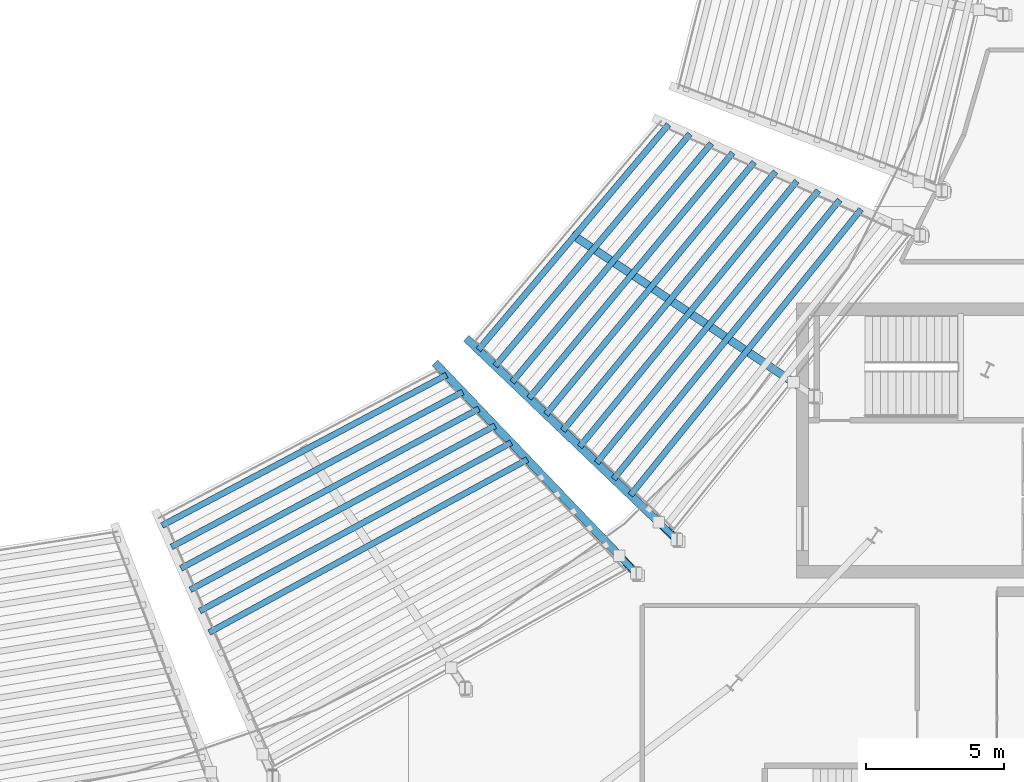
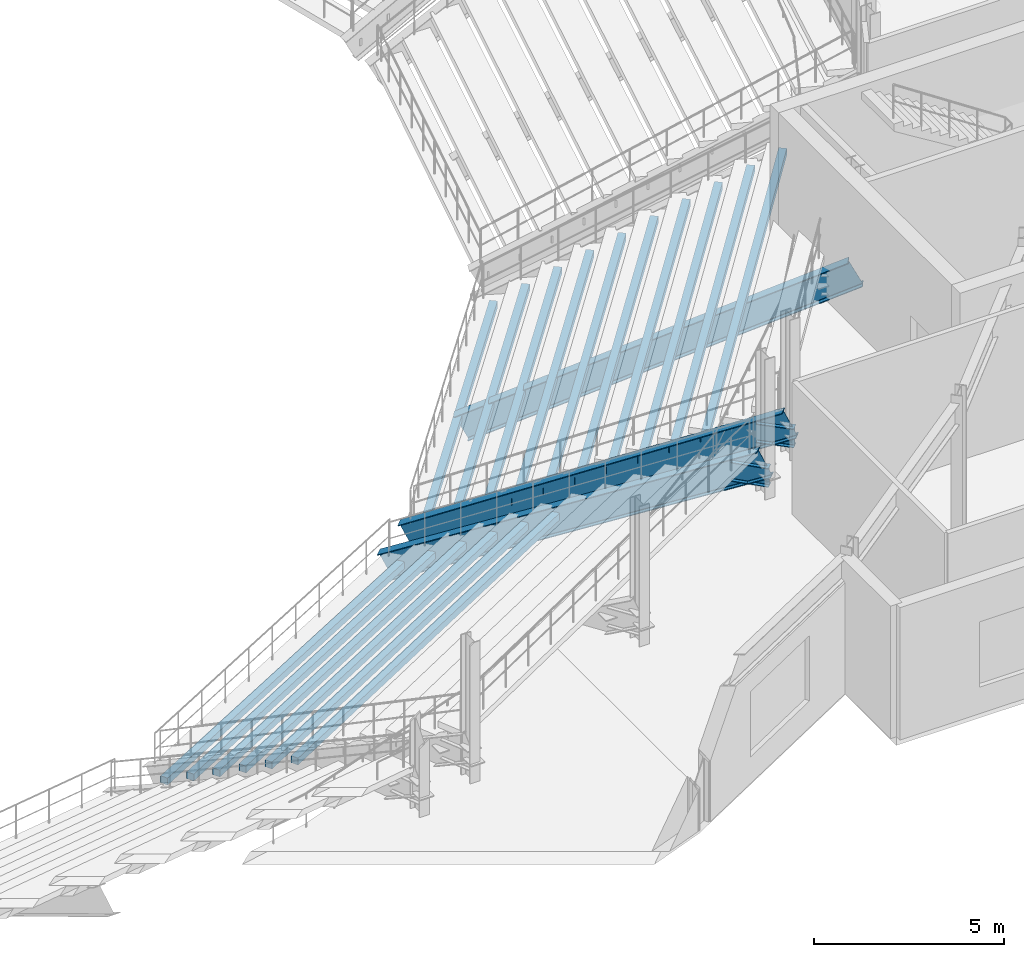
# One storey, part 26 of 81: 21 beams.
"""IFC4 building model written with IfcOpenShell, lengths in metres."""

from ifc_helpers import new_model, si_unit, direction, frame, origin, origin_2d, place, context, subcontext, project, spatial, rectangle, i_section, extrude, material, material_profile, profile_set, type_object, element, save


model = new_model("IFC4")

# Units and contexts
model_context = context("Model", 3, precision=1e-05, world=origin(), true_north=direction((0.0, 1.0)))
body_context = subcontext(model_context, "Body", "Model", "MODEL_VIEW")
ifc_project = project(units=[si_unit("LENGTHUNIT", "METRE"), si_unit("AREAUNIT", "SQUARE_METRE"), si_unit("VOLUMEUNIT", "CUBIC_METRE"), si_unit("PLANEANGLEUNIT", "RADIAN"), si_unit("MASSUNIT", "GRAM", prefix="KILO")], contexts=[model_context])

# Site, building, storey
site_placement = place(None, origin())
site = spatial("IfcSite", under=ifc_project, at=site_placement, CompositionType="ELEMENT")
building_placement = place(site_placement, origin())
building = spatial("IfcBuilding", under=site, at=building_placement, Name="Glasvene Arena", CompositionType="ELEMENT")
storey_placement = place(building_placement, frame((0.0, 0.0, 15.0)))
storey = spatial("IfcBuildingStorey", under=building, at=storey_placement, Name="L03", CompositionType="ELEMENT", Elevation=15.0)

# Beams
ifc_material_1 = material(Name="Steel S355J2", Category="steel")
ifc_material_profile_1 = material_profile(ifc_material_1, i_section(OverallWidth=0.228271484375, OverallDepth=0.607666015625, WebThickness=0.010986328125, FlangeThickness=0.017333984375, FilletRadius=0.0126953125, at=origin_2d()), Name="UKB 610x229x113")
ifc_profile_set_1 = profile_set([ifc_material_profile_1], Name="Steel S355J2")
beam_type_1 = type_object("IfcBeamType", Name="BM-GIRD-610", PredefinedType="BEAM", material=ifc_profile_set_1)
for number, where, z_axis, x_axis, name in (
    (1, (123.15869140625, 45.81640625, 0.60498046875), (0.691010672315, -0.722844555037, 0.0), (0.722844555037, 0.691010672315, 0.0), "Upper raker rear seat haunch girder RKS-14-3"),
    (2, (124.605712890625, 47.022705078125, 0.60498046875), (0.723078356625, -0.690766016955, 0.0), (0.690766016955, 0.723078356625, 0.0), "Upper raker rear seat haunch girder RKS-15-1"),
):
    element("IfcBeam", number, at=place(storey_placement, frame(where, z_axis=z_axis, x_axis=x_axis)), inside=storey, type_object=beam_type_1, Name=name, PredefinedType="BEAM", context=body_context, shape_type="SweptSolid", body=[
        extrude(i_section(OverallWidth=0.228271484375, OverallDepth=0.607666015625, WebThickness=0.010986328125, FlangeThickness=0.017333984375, FilletRadius=0.0126953125, at=origin_2d()), origin(), (0.0, 0.0, 1.0), 1.02001953125),
    ])
ifc_material_profile_2 = material_profile(ifc_material_1, i_section(OverallWidth=0.29248046875, OverallDepth=0.8408203125, WebThickness=0.0146484375, FlangeThickness=0.021728515625, FilletRadius=0.017822265625, at=origin_2d()), Name="UKB 838x292x194")
ifc_profile_set_2 = profile_set([ifc_material_profile_2], Name="Steel S355J2")
beam_type_2 = type_object("IfcBeamType", Name="Upper bowl raker", PredefinedType="USERDEFINED", material=ifc_profile_set_2)
beam_1_placement = place(storey_placement, frame((116.595458984375, 52.6845703125, -4.320068359375), z_axis=(0.614833062929, -0.643391567755, 0.456100422354), x_axis=(0.722970105975, 0.690879313532, 0.0)))
element("IfcBeam", 3, at=beam_1_placement, inside=storey, type_object=beam_type_2, Name="Upper bowl cantilevered raker beam RKU-14-3", ObjectType="RAKER BEAM", PredefinedType="USERDEFINED", context=body_context, shape_type="SweptSolid", body=[
    extrude(i_section(OverallWidth=0.29248046875, OverallDepth=0.8408203125, WebThickness=0.0146484375, FlangeThickness=0.021728515625, FilletRadius=0.017822265625, at=origin_2d()), origin(), (0.0, 0.0, 1.0), 11.686279296875),
])
beam_2_placement = place(storey_placement, frame((117.737548828125, 53.586181640625, -4.320068359375), z_axis=(0.643395546748, -0.614837792595, 0.456088433554), x_axis=(0.690879858158, 0.722969585523, 0.0)))
element("IfcBeam", 4, at=beam_2_placement, inside=storey, type_object=beam_type_2, Name="Upper bowl cantilevered raker beam RKU-15-1", ObjectType="RAKER BEAM", PredefinedType="USERDEFINED", context=body_context, shape_type="SweptSolid", body=[
    extrude(i_section(OverallWidth=0.29248046875, OverallDepth=0.8408203125, WebThickness=0.0146484375, FlangeThickness=0.021728515625, FilletRadius=0.017822265625, at=origin_2d()), origin(), (0.0, 0.0, 1.0), 11.6865234375),
])
beam_3_placement = place(storey_placement, frame((121.600341796875, 57.388427734375, -4.47998046875), z_axis=(0.737057012889, -0.492481189955, 0.462827437919), x_axis=(0.555566675899, 0.831471989084, 0.0)))
element("IfcBeam", 5, at=beam_3_placement, inside=storey, type_object=beam_type_2, Name="Upper bowl cantilevered raker beam RKU-15-2", ObjectType="RAKER BEAM", PredefinedType="USERDEFINED", context=body_context, shape_type="SweptSolid", body=[
    extrude(i_section(OverallWidth=0.29248046875, OverallDepth=0.8408203125, WebThickness=0.0146484375, FlangeThickness=0.021728515625, FilletRadius=0.017822265625, at=origin_2d()), origin(), (0.0, 0.0, 1.0), 11.732177734375),
])
ifc_material_2 = material(Name="Precast concrete C50/60", Category="concrete")
ifc_material_profile_3 = material_profile(ifc_material_2, rectangle(XDim=0.219970703125, YDim=0.219970703125, at=origin_2d()), Name="RC 220x220")
ifc_profile_set_3 = profile_set([ifc_material_profile_3], Name="Precast concrete C50/60")
beam_type_3 = type_object("IfcBeamType", Name="BM-TIER-BEARER", PredefinedType="BEAM", material=ifc_profile_set_3)
beam_4_placement = place(storey_placement, frame((106.53564453125, 46.905517578125, -4.215087890625), z_axis=(0.883920254226, 0.467637663335, 0.0), x_axis=(-0.467637663335, 0.883920254226, 0.0)))
element("IfcBeam", 6, at=beam_4_placement, inside=storey, type_object=beam_type_3, Name="Upper tier precast row bearer 14-R01", PredefinedType="BEAM", context=body_context, shape_type="SweptSolid", body=[
    extrude(rectangle(XDim=0.219970703125, YDim=0.219970703125, at=origin_2d()), origin(), (0.0, 0.0, 1.0), 11.708984375),
])
beam_5_placement = place(storey_placement, frame((106.878662109375, 46.127685546875, -3.735107421875), z_axis=(0.882745126061, 0.469852149528, 0.0), x_axis=(-0.469852149528, 0.882745126061, 0.0)))
element("IfcBeam", 7, at=beam_5_placement, inside=storey, type_object=beam_type_3, Name="Upper tier precast row bearer 14-R02", PredefinedType="BEAM", context=body_context, shape_type="SweptSolid", body=[
    extrude(rectangle(XDim=0.219970703125, YDim=0.219970703125, at=origin_2d()), origin(), (0.0, 0.0, 1.0), 12.00146484375),
])
beam_6_placement = place(storey_placement, frame((107.2216796875, 45.349853515625, -3.2548828125), z_axis=(0.881624591042, 0.471951353924, 0.0), x_axis=(-0.471951353924, 0.881624591042, 0.0)))
element("IfcBeam", 8, at=beam_6_placement, inside=storey, type_object=beam_type_3, Name="Upper tier precast row bearer 14-R03", PredefinedType="BEAM", context=body_context, shape_type="SweptSolid", body=[
    extrude(rectangle(XDim=0.219970703125, YDim=0.219970703125, at=origin_2d()), origin(), (0.0, 0.0, 1.0), 12.293701171875),
])
beam_7_placement = place(storey_placement, frame((107.564697265625, 44.572265625, -2.77490234375), z_axis=(0.880551437583, 0.47395059423, 0.0), x_axis=(-0.47395059423, 0.880551437583, 0.0)))
element("IfcBeam", 9, at=beam_7_placement, inside=storey, type_object=beam_type_3, Name="Upper tier precast row bearer 14-R04", PredefinedType="BEAM", context=body_context, shape_type="SweptSolid", body=[
    extrude(rectangle(XDim=0.219970703125, YDim=0.219970703125, at=origin_2d()), origin(), (0.0, 0.0, 1.0), 12.5859375),
])
beam_8_placement = place(storey_placement, frame((107.90771484375, 43.79443359375, -2.294921875), z_axis=(0.879519123786, 0.475863542306, 0.0), x_axis=(-0.475863542306, 0.879519123786, 0.0)))
element("IfcBeam", 10, at=beam_8_placement, inside=storey, type_object=beam_type_3, Name="Upper tier precast row bearer 14-R05", PredefinedType="BEAM", context=body_context, shape_type="SweptSolid", body=[
    extrude(rectangle(XDim=0.219970703125, YDim=0.219970703125, at=origin_2d()), origin(), (0.0, 0.0, 1.0), 12.87841796875),
])
beam_9_placement = place(storey_placement, frame((108.250732421875, 43.016845703125, -1.81494140625), z_axis=(0.878532352261, 0.477682850886, 0.0), x_axis=(-0.477682850886, 0.878532352261, 0.0)))
element("IfcBeam", 11, at=beam_9_placement, inside=storey, type_object=beam_type_3, Name="Upper tier precast row bearer 14-R06", PredefinedType="BEAM", context=body_context, shape_type="SweptSolid", body=[
    extrude(rectangle(XDim=0.219970703125, YDim=0.219970703125, at=origin_2d()), origin(), (0.0, 0.0, 1.0), 13.1708984375),
])
beam_10_placement = place(storey_placement, frame((118.041259765625, 53.2958984375, -4.215087890625), z_axis=(0.644922058275, 0.76424834887, 0.0), x_axis=(-0.76424834887, 0.644922058275, 0.0)))
element("IfcBeam", 12, at=beam_10_placement, inside=storey, type_object=beam_type_3, Name="Upper tier precast row bearer 15-R01", PredefinedType="BEAM", context=body_context, shape_type="SweptSolid", body=[
    extrude(rectangle(XDim=0.219970703125, YDim=0.219970703125, at=origin_2d()), origin(), (0.0, 0.0, 1.0), 10.72314453125),
])
beam_11_placement = place(storey_placement, frame((118.65576171875, 52.708740234375, -3.735107421875), z_axis=(0.642655492956, 0.766155282807, 0.0), x_axis=(-0.766155282807, 0.642655492956, 0.0)))
element("IfcBeam", 13, at=beam_11_placement, inside=storey, type_object=beam_type_3, Name="Upper tier precast row bearer 15-R02", PredefinedType="BEAM", context=body_context, shape_type="SweptSolid", body=[
    extrude(rectangle(XDim=0.219970703125, YDim=0.219970703125, at=origin_2d()), origin(), (0.0, 0.0, 1.0), 11.014892578125),
])
beam_12_placement = place(storey_placement, frame((119.270263671875, 52.12158203125, -3.2548828125), z_axis=(0.640488055668, 0.767968131205, 0.0), x_axis=(-0.767968131205, 0.640488055668, 0.0)))
element("IfcBeam", 14, at=beam_12_placement, inside=storey, type_object=beam_type_3, Name="Upper tier precast row bearer 15-R03", PredefinedType="BEAM", context=body_context, shape_type="SweptSolid", body=[
    extrude(rectangle(XDim=0.219970703125, YDim=0.219970703125, at=origin_2d()), origin(), (0.0, 0.0, 1.0), 11.306884765625),
])
beam_13_placement = place(storey_placement, frame((119.884765625, 51.5341796875, -2.77490234375), z_axis=(0.63842711998, 0.769682280213, 0.0), x_axis=(-0.769682280213, 0.63842711998, 0.0)))
element("IfcBeam", 15, at=beam_13_placement, inside=storey, type_object=beam_type_3, Name="Upper tier precast row bearer 15-R04", PredefinedType="BEAM", context=body_context, shape_type="SweptSolid", body=[
    extrude(rectangle(XDim=0.219970703125, YDim=0.219970703125, at=origin_2d()), origin(), (0.0, 0.0, 1.0), 11.599365234375),
])
beam_14_placement = place(storey_placement, frame((120.49951171875, 50.947021484375, -2.294921875), z_axis=(0.636448921303, 0.771318851431, 0.0), x_axis=(-0.771318851431, 0.636448921303, 0.0)))
element("IfcBeam", 16, at=beam_14_placement, inside=storey, type_object=beam_type_3, Name="Upper tier precast row bearer 15-R05", PredefinedType="BEAM", context=body_context, shape_type="SweptSolid", body=[
    extrude(rectangle(XDim=0.219970703125, YDim=0.219970703125, at=origin_2d()), origin(), (0.0, 0.0, 1.0), 11.89111328125),
])
beam_15_placement = place(storey_placement, frame((121.114013671875, 50.35986328125, -1.81494140625), z_axis=(0.634585572165, 0.772852606646, 0.0), x_axis=(-0.772852606646, 0.634585572165, 0.0)))
element("IfcBeam", 17, at=beam_15_placement, inside=storey, type_object=beam_type_3, Name="Upper tier precast row bearer 15-R06", PredefinedType="BEAM", context=body_context, shape_type="SweptSolid", body=[
    extrude(rectangle(XDim=0.219970703125, YDim=0.219970703125, at=origin_2d()), origin(), (0.0, 0.0, 1.0), 12.183349609375),
])
beam_16_placement = place(storey_placement, frame((121.728515625, 49.7724609375, -1.3349609375), z_axis=(0.632784784283, 0.774327719238, 0.0), x_axis=(-0.774327719238, 0.632784784283, 0.0)))
element("IfcBeam", 18, at=beam_16_placement, inside=storey, type_object=beam_type_3, Name="Upper tier precast row bearer 15-R07", PredefinedType="BEAM", context=body_context, shape_type="SweptSolid", body=[
    extrude(rectangle(XDim=0.219970703125, YDim=0.219970703125, at=origin_2d()), origin(), (0.0, 0.0, 1.0), 12.475830078125),
])
beam_17_placement = place(storey_placement, frame((122.343017578125, 49.185302734375, -0.85498046875), z_axis=(0.631084152246, 0.775714375775, 0.0), x_axis=(-0.775714375775, 0.631084152246, 0.0)))
element("IfcBeam", 19, at=beam_17_placement, inside=storey, type_object=beam_type_3, Name="Upper tier precast row bearer 15-R08", PredefinedType="BEAM", context=body_context, shape_type="SweptSolid", body=[
    extrude(rectangle(XDim=0.219970703125, YDim=0.219970703125, at=origin_2d()), origin(), (0.0, 0.0, 1.0), 12.768310546875),
])
beam_18_placement = place(storey_placement, frame((122.95751953125, 48.597900390625, -0.375), z_axis=(0.62944770131, 0.777042850373, 0.0), x_axis=(-0.777042850373, 0.62944770131, 0.0)))
element("IfcBeam", 20, at=beam_18_placement, inside=storey, type_object=beam_type_3, Name="Upper tier precast row bearer 15-R09", PredefinedType="BEAM", context=body_context, shape_type="SweptSolid", body=[
    extrude(rectangle(XDim=0.219970703125, YDim=0.219970703125, at=origin_2d()), origin(), (0.0, 0.0, 1.0), 13.06103515625),
])
beam_19_placement = place(storey_placement, frame((123.572021484375, 48.0107421875, 0.10498046875), z_axis=(0.627878234413, 0.778311584618, 0.0), x_axis=(-0.778311584618, 0.627878234413, 0.0)))
element("IfcBeam", 21, at=beam_19_placement, inside=storey, type_object=beam_type_3, Name="Upper tier precast row bearer 15-R10", PredefinedType="BEAM", context=body_context, shape_type="SweptSolid", body=[
    extrude(rectangle(XDim=0.219970703125, YDim=0.219970703125, at=origin_2d()), origin(), (0.0, 0.0, 1.0), 13.353271484375),
])

save(model, "model.ifc")
